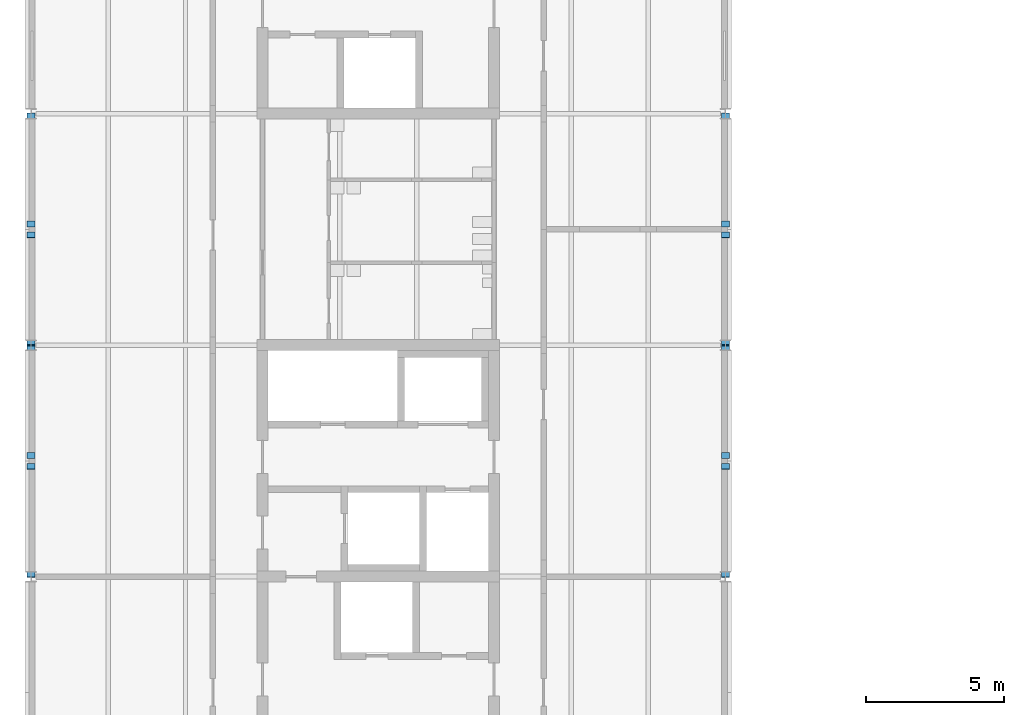
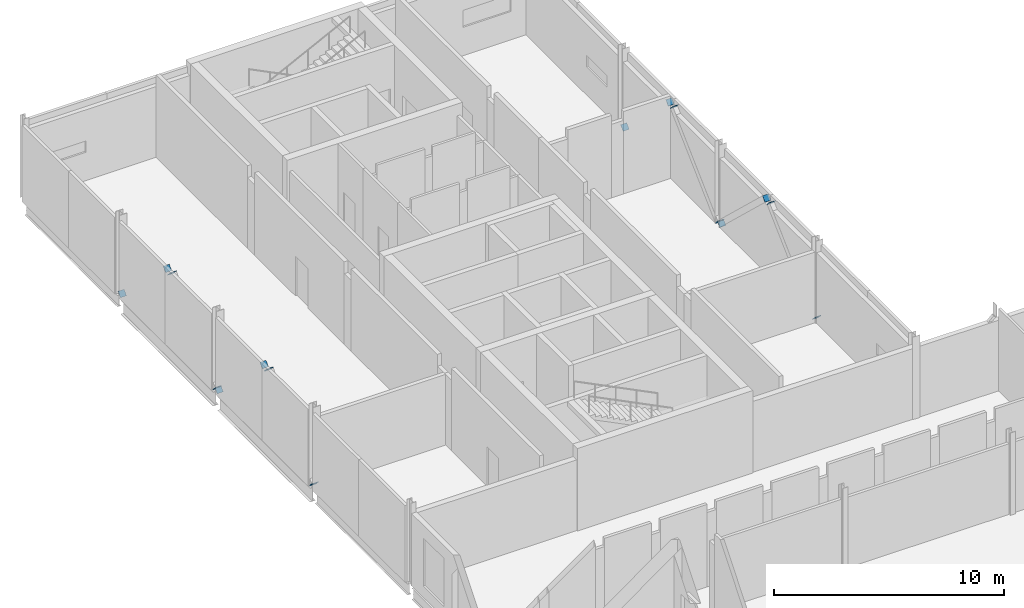
# One storey, part 55 of 72: 16 discrete accessories.
"""IFC4 building model written with IfcOpenShell, lengths in metres."""

from ifc_helpers import new_model, si_unit, direction, frame, origin, origin_2d, place, context, subcontext, project, spatial, rectangle, extrude, material, element, save


model = new_model("IFC4")

# Units and contexts
model_context = context("Model", 3, precision=1e-05, world=origin(), true_north=direction((0.0, 1.0)))
body_context = subcontext(model_context, "Body", "Model", "MODEL_VIEW")
ifc_project = project(units=[si_unit("LENGTHUNIT", "METRE"), si_unit("AREAUNIT", "SQUARE_METRE"), si_unit("VOLUMEUNIT", "CUBIC_METRE"), si_unit("PLANEANGLEUNIT", "RADIAN"), si_unit("MASSUNIT", "GRAM", prefix="KILO")], contexts=[model_context])

# Site, building, storey
site_placement = place(None, origin())
site = spatial("IfcSite", under=ifc_project, at=site_placement, CompositionType="ELEMENT")
building_placement = place(site_placement, origin())
building = spatial("IfcBuilding", under=site, at=building_placement, Name="Hlaing Beacon Police Headquarters", CompositionType="ELEMENT")
storey_placement = place(building_placement, frame((0.0, 0.0, 14.39990234375)))
storey = spatial("IfcBuildingStorey", under=building, at=storey_placement, Name="L03", CompositionType="ELEMENT", Elevation=14.39990234375)

# Discrete accessories
ifc_material = material(Name="Steel ASTM A572 Grade 50", Category="steel")
for number, where, z_axis, x_axis, name in (
    (1, (8.39990234375, 42.0869140625, 0.11669921875), (0.0, -0.726656515728, -0.687000952074), (1.0, 0.0, 0.0), "Gusset plate GP-153"),
    (2, (8.39990234375, 45.994140625, 3.810546875), (0.0, 0.726656515728, 0.687000952074), (-1.0, 0.0, 0.0), "Gusset plate GP-154"),
    (3, (8.39990234375, 50.313232421875, 0.11669921875), (0.0, 0.726677880254, -0.686978353625), (-1.0, 0.0, 0.0), "Gusset plate GP-155"),
    (4, (8.39990234375, 46.40576171875, 3.810791015625), (0.0, -0.726677880254, 0.686978353625), (1.0, 0.0, 0.0), "Gusset plate GP-156"),
    (5, (8.39990234375, 50.48681640625, 0.11669921875), (0.0, -0.726656515728, -0.687000952074), (1.0, 0.0, 0.0), "Gusset plate GP-157"),
    (6, (8.39990234375, 54.39404296875, 3.810546875), (0.0, 0.726656515728, 0.687000952074), (-1.0, 0.0, 0.0), "Gusset plate GP-158"),
    (7, (8.39990234375, 58.713134765625, 0.11669921875), (0.0, 0.726656515728, -0.687000952074), (-1.0, 0.0, 0.0), "Gusset plate GP-159"),
    (8, (8.39990234375, 54.805908203125, 3.810546875), (0.0, -0.726656515728, 0.687000952074), (1.0, 0.0, 0.0), "Gusset plate GP-160"),
    (9, (33.60009765625, 42.0869140625, 0.11669921875), (0.0, -0.726656515728, -0.687000952074), (1.0, 0.0, 0.0), "Gusset plate GP-185"),
    (10, (33.60009765625, 45.994140625, 3.810546875), (0.0, 0.726656515728, 0.687000952074), (-1.0, 0.0, 0.0), "Gusset plate GP-186"),
    (11, (33.60009765625, 50.313232421875, 0.11669921875), (0.0, 0.726677880254, -0.686978353625), (-1.0, 0.0, 0.0), "Gusset plate GP-187"),
    (12, (33.60009765625, 46.40576171875, 3.810791015625), (0.0, -0.726677880254, 0.686978353625), (1.0, 0.0, 0.0), "Gusset plate GP-188"),
    (13, (33.60009765625, 50.48681640625, 0.11669921875), (0.0, -0.726656515728, -0.687000952074), (1.0, 0.0, 0.0), "Gusset plate GP-189"),
    (14, (33.60009765625, 54.39404296875, 3.810546875), (0.0, 0.726656515728, 0.687000952074), (-1.0, 0.0, 0.0), "Gusset plate GP-190"),
    (15, (33.60009765625, 58.713134765625, 0.11669921875), (0.0, 0.726656515728, -0.687000952074), (-1.0, 0.0, 0.0), "Gusset plate GP-191"),
    (16, (33.60009765625, 54.805908203125, 3.810546875), (0.0, -0.726656515728, 0.687000952074), (1.0, 0.0, 0.0), "Gusset plate GP-192"),
):
    element("IfcDiscreteAccessory", number, at=place(storey_placement, frame(where, z_axis=z_axis, x_axis=x_axis)), inside=storey, material=ifc_material, Name=name, PredefinedType="BRACKET", context=body_context, shape_type="SweptSolid", body=[
        extrude(rectangle(XDim=0.3046875, YDim=0.3046875, at=origin_2d()), origin(), (0.0, 0.0, 1.0), 0.01611328125),
    ])

save(model, "model.ifc")
